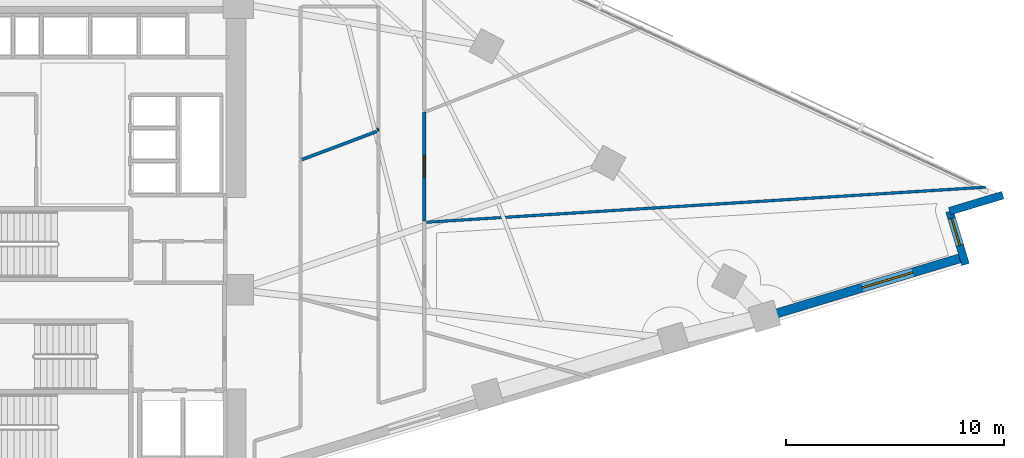
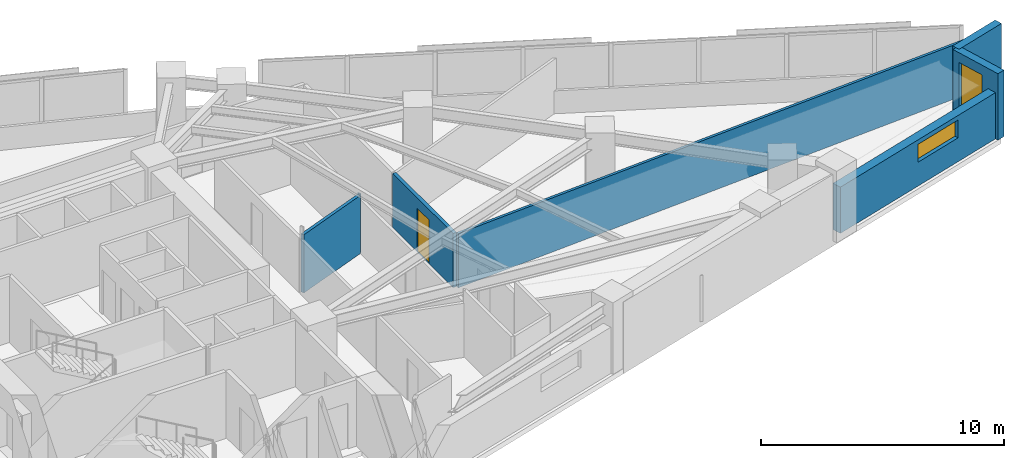
# One storey, part 14 of 17: 7 walls, 2 windows, 1 door, 3 openings.
"""IFC4 building model written with IfcOpenShell, lengths in metres."""

from ifc_helpers import new_model, si_unit, direction, frame, frame_2d, origin, place, context, subcontext, project, spatial, rectangle, extrude, material, layer, layer_set, type_object, element, fill, save


model = new_model("IFC4")

# Units and contexts
model_context = context("Model", 3, precision=1e-05, world=origin(), true_north=direction((0.0, 1.0)))
body_context = subcontext(model_context, "Body", "Model", "MODEL_VIEW")
ifc_project = project(units=[si_unit("LENGTHUNIT", "METRE"), si_unit("AREAUNIT", "SQUARE_METRE"), si_unit("VOLUMEUNIT", "CUBIC_METRE"), si_unit("PLANEANGLEUNIT", "RADIAN"), si_unit("MASSUNIT", "GRAM", prefix="KILO")], contexts=[model_context])

# Site, building, storey
site_placement = place(None, origin())
site = spatial("IfcSite", under=ifc_project, at=site_placement, CompositionType="ELEMENT")
building_placement = place(site_placement, origin())
building = spatial("IfcBuilding", under=site, at=building_placement, Name="Narakoshi Arena Tower", CompositionType="ELEMENT")
storey_placement = place(building_placement, frame((0.0, 0.0, 139.5)))
storey = spatial("IfcBuildingStorey", under=building, at=storey_placement, Name="L37", CompositionType="ELEMENT", Elevation=139.5)

# Wall, opening, door
ifc_material_1 = material(Name="Gypsum plasterboard fire-rated partition")
ifc_layer_1 = layer(ifc_material_1, 0.1650390625)
ifc_layer_set_1 = layer_set([ifc_layer_1], Name="Gypsum plasterboard fire-rated partition")
wall_type_1 = type_object("IfcWallType", Name="WL-CORR-165", PredefinedType="PARTITIONING", material=ifc_layer_set_1)
wall_1_placement = place(storey_placement, frame((94.0849609375, 46.509521484375, 0.0), z_axis=(0.0, 0.0, 1.0), x_axis=(0.0, 1.0, 0.0)))
wall_1 = element("IfcWall", 1, at=wall_1_placement, inside=storey, type_object=wall_type_1, Name="L37 Corridor Partition 04-1", PredefinedType="PARTITIONING", context=body_context, shape_type="SweptSolid", body=[
    extrude(rectangle(XDim=4.990966796875, YDim=0.1650390625, at=frame_2d((2.49560546875, 0.0))), origin(), (0.0, 0.0, 1.0), 2.72509765625),
])
opening_1_placement = place(wall_1_placement, frame((1.99560546875, 0.0, 0.0)))
opening_1 = element("IfcOpeningElement", 2, at=opening_1_placement, cuts=wall_1, Name="Opening D-06", PredefinedType="OPENING", context=body_context, shape_type="SweptSolid", body=[
    extrude(rectangle(XDim=1.0, YDim=2.199951171875, at=frame_2d((0.5, 1.10009765625))), frame((0.0, 0.092529296875, 0.0), z_axis=(0.0, -1.0, 0.0), x_axis=(1.0, 0.0, 0.0)), (0.0, 0.0, 1.0), 0.18505859375),
])
ifc_material_2 = material(Name="Stained oak solid-core timber", Category="wood")
door_type = type_object("IfcDoorType", Name="DR-OFF-1000", OperationType="NOTDEFINED", PredefinedType="DOOR", material=ifc_material_2)
door_placement = place(opening_1_placement, frame((1.0, 0.0, 0.0), z_axis=(0.0, 0.0, 1.0), x_axis=(-1.0, 0.0, 0.0)))
door = element("IfcDoor", 3, at=door_placement, inside=storey, type_object=door_type, Name="DR-L37-017", OperationType="SINGLE_SWING_RIGHT", OverallHeight=2.199951171875, OverallWidth=1.0, PredefinedType="DOOR", context=body_context, shape_type="SweptSolid", body=[
    extrude(rectangle(XDim=1.0, YDim=2.199951171875, at=frame_2d((0.5, 1.10009765625))), frame((0.0, 0.02490234375, 0.0), z_axis=(0.0, -1.0, 0.0), x_axis=(1.0, 0.0, 0.0)), (0.0, 0.0, 1.0), 0.050048828125),
])
fill(opening_1, door)

# Wall
ifc_layer_2 = layer(ifc_material_1, 0.125)
ifc_layer_set_2 = layer_set([ifc_layer_2], Name="Gypsum plasterboard fire-rated partition")
wall_type_2 = type_object("IfcWallType", Name="WL-PART-125", PredefinedType="PARTITIONING", material=ifc_layer_set_2)
wall_2_placement = place(storey_placement, frame((94.179443359375, 46.455322265625, 0.0), z_axis=(0.0, 0.0, 1.0), x_axis=(0.998042031033, 0.062546816791, 0.0)))
element("IfcWall", 4, at=wall_2_placement, inside=storey, type_object=wall_type_2, Name="L37 Inter-Room Partition 03-04", PredefinedType="PARTITIONING", context=body_context, shape_type="SweptSolid", body=[
    extrude(rectangle(XDim=25.703369140625, YDim=0.125, at=frame_2d((12.8515625, 0.0))), origin(), (0.0, 0.0, 1.0), 2.72509765625),
])

# Wall, opening, window
ifc_material_3 = material(Name="Precast concrete C45/55", Category="concrete")
ifc_layer_3 = layer(ifc_material_3, 0.419921875)
ifc_layer_set_3 = layer_set([ifc_layer_3], Name="Precast concrete C45/55")
wall_type_3 = type_object("IfcWallType", Name="WL-POD-420", PredefinedType="SOLIDWALL", material=ifc_layer_set_3)
wall_3_placement = place(storey_placement, frame((109.701171875, 42.110595703125, 0.0), z_axis=(0.0, 0.0, 1.0), x_axis=(0.957575807765, 0.288181492091, 0.0)))
wall_3 = element("IfcWall", 5, at=wall_3_placement, inside=storey, type_object=wall_type_3, Name="L37 Architectural Concrete Facade Wall LEGA-4", PredefinedType="SOLIDWALL", context=body_context, shape_type="SweptSolid", body=[
    extrude(rectangle(XDim=9.510498046875, YDim=0.419921875, at=frame_2d((4.75537109375, 0.0))), origin(), (0.0, 0.0, 1.0), 2.324951171875),
])
opening_2_placement = place(wall_3_placement, frame((4.679443359375, 0.0, 1.199951171875)))
opening_2 = element("IfcOpeningElement", 6, at=opening_2_placement, cuts=wall_3, Name="Opening WN-01", PredefinedType="OPENING", context=body_context, shape_type="SweptSolid", body=[
    extrude(rectangle(XDim=2.39990234375, YDim=0.89990234375, at=frame_2d((1.199951171875, 0.449951171875))), frame((0.0, 0.219970703125, 0.0), z_axis=(0.0, -1.0, 0.0), x_axis=(1.0, 0.0, 0.0)), (0.0, 0.0, 1.0), 0.43994140625),
])
ifc_material_4 = material(Name="Bronze-tinted low-E laminated glass", Category="glass")
window_type_1 = type_object("IfcWindowType", Name="WIN-SLT-24x09", PartitioningType="SINGLE_PANEL", PredefinedType="WINDOW", material=ifc_material_4)
window_1_placement = place(opening_2_placement, origin())
window_1 = element("IfcWindow", 7, at=window_1_placement, inside=storey, type_object=window_type_1, Name="L37 LEGA4 Horizontal Slot Window 1", OverallHeight=0.89990234375, OverallWidth=2.39990234375, PartitioningType="SINGLE_PANEL", PredefinedType="WINDOW", context=body_context, shape_type="SweptSolid", body=[
    extrude(rectangle(XDim=2.39990234375, YDim=0.89990234375, at=frame_2d((1.199951171875, 0.449951171875))), frame((0.0, 0.030029296875, 0.0), z_axis=(0.0, -1.0, 0.0), x_axis=(1.0, 0.0, 0.0)), (0.0, 0.0, 1.0), 0.06005859375),
])
fill(opening_2, window_1)

wall_4_placement = place(storey_placement, frame((118.908935546875, 44.51611328125, 0.0), z_axis=(0.0, 0.0, 1.0), x_axis=(-0.288172590882, 0.95757848653, 0.0)))
wall_4 = element("IfcWall", 8, at=wall_4_placement, inside=storey, type_object=wall_type_3, Name="L37 Re-Entrant Corner Notch Wall NTE-1", PredefinedType="SOLIDWALL", context=body_context, shape_type="SweptSolid", body=[
    extrude(rectangle(XDim=2.552734375, YDim=0.360107421875, at=frame_2d((1.2763671875, 0.0))), origin(), (0.0, 0.0, 1.0), 3.340087890625),
])
opening_3_placement = place(wall_4_placement, frame((0.91259765625, 0.0, 0.449951171875)))
opening_3 = element("IfcOpeningElement", 9, at=opening_3_placement, cuts=wall_4, Name="Opening WN-06", PredefinedType="OPENING", context=body_context, shape_type="SweptSolid", body=[
    extrude(rectangle(XDim=1.300048828125, YDim=2.39990234375, at=frame_2d((0.64990234375, 1.199951171875))), frame((0.0, 0.18994140625, 0.0), z_axis=(0.0, -1.0, 0.0), x_axis=(1.0, 0.0, 0.0)), (0.0, 0.0, 1.0), 0.380126953125),
])
window_type_2 = type_object("IfcWindowType", Name="WIN-NTC-16x24", PartitioningType="SINGLE_PANEL", PredefinedType="WINDOW", material=ifc_material_4)
window_2_placement = place(opening_3_placement, origin())
window_2 = element("IfcWindow", 10, at=window_2_placement, inside=storey, type_object=window_type_2, Name="L37 Corner Notch Window NTE", OverallHeight=2.39990234375, OverallWidth=1.300048828125, PartitioningType="SINGLE_PANEL", PredefinedType="WINDOW", context=body_context, shape_type="SweptSolid", body=[
    extrude(rectangle(XDim=1.300048828125, YDim=2.39990234375, at=frame_2d((0.64990234375, 1.199951171875))), frame((0.0, 0.030029296875, 0.0), z_axis=(0.0, -1.0, 0.0), x_axis=(1.0, 0.0, 0.0)), (0.0, 0.0, 1.0), 0.06005859375),
])
fill(opening_3, window_2)

# Walls
wall_5_placement = place(storey_placement, frame((118.17333984375, 46.96044921875, 0.0), z_axis=(0.0, 0.0, 1.0), x_axis=(0.95757848653, 0.288172590882, 0.0)))
element("IfcWall", 11, at=wall_5_placement, inside=storey, type_object=wall_type_3, Name="L37 Re-Entrant Corner Notch Wall NTE-2", PredefinedType="SOLIDWALL", context=body_context, shape_type="SweptSolid", body=[
    extrude(rectangle(XDim=2.552734375, YDim=0.360107421875, at=frame_2d((1.2763671875, 0.0))), origin(), (0.0, 0.0, 1.0), 3.340087890625),
])
ifc_material_5 = material(Name="Moisture-resistant cement-board partition")
ifc_layer_4 = layer(ifc_material_5, 0.14501953125)
ifc_layer_set_4 = layer_set([ifc_layer_4], Name="Moisture-resistant cement-board partition")
wall_type_4 = type_object("IfcWallType", Name="WL-WET-145", PredefinedType="PARTITIONING", material=ifc_layer_set_4)
wall_6_placement = place(storey_placement, frame((88.460205078125, 49.32373046875, 0.0), z_axis=(0.0, 0.0, 1.0), x_axis=(0.935982041956, 0.352047748376, 0.0)))
element("IfcWall", 12, at=wall_6_placement, inside=storey, type_object=wall_type_4, Name="L37 Inter-Room Partition 05-06", PredefinedType="PARTITIONING", context=body_context, shape_type="SweptSolid", body=[
    extrude(rectangle(XDim=3.675537109375, YDim=0.14501953125, at=frame_2d((1.837890625, 0.0))), origin(), (0.0, 0.0, 1.0), 2.925048828125),
])
wall_7_placement = place(storey_placement, frame((91.985107421875, 50.7138671875, 0.0), z_axis=(0.0, 0.0, 1.0), x_axis=(-0.931577619485, -0.363542485653, 0.0)))
element("IfcWall", 13, at=wall_7_placement, inside=storey, type_object=wall_type_4, Name="L37 Corridor Partition 06-4", PredefinedType="PARTITIONING", context=body_context, shape_type="SweptSolid", body=[
    extrude(rectangle(XDim=0.064453125, YDim=0.14501953125, at=frame_2d((0.0322265625, 0.0))), origin(), (0.0, 0.0, 1.0), 2.925048828125),
])

save(model, "model.ifc")
